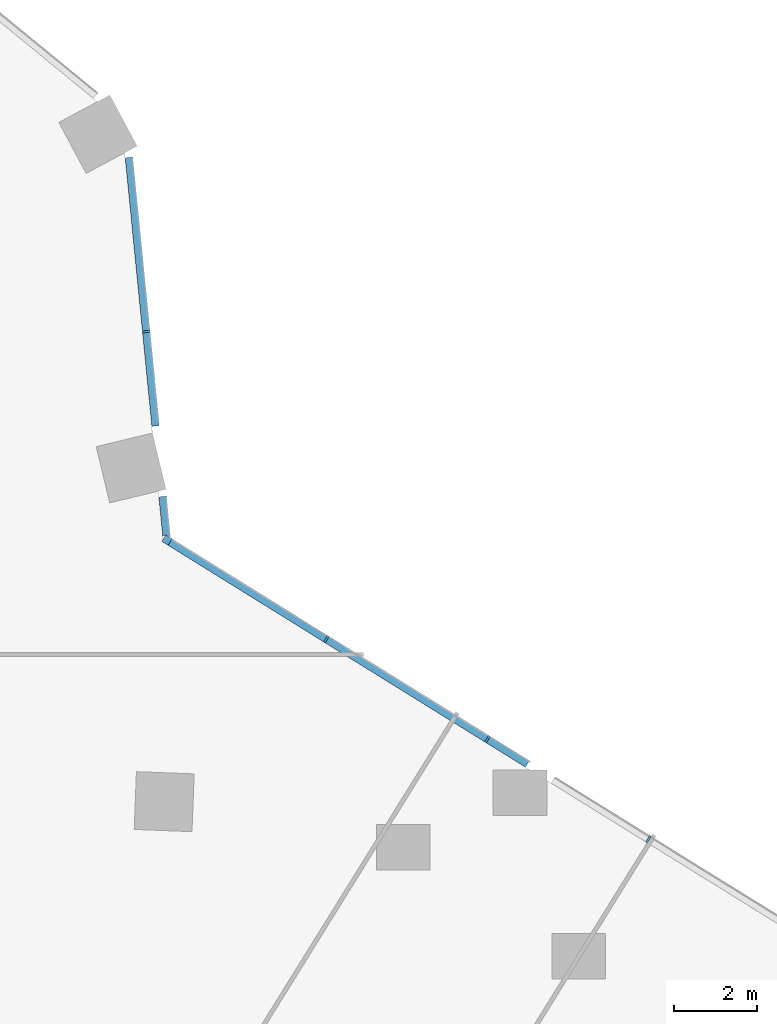
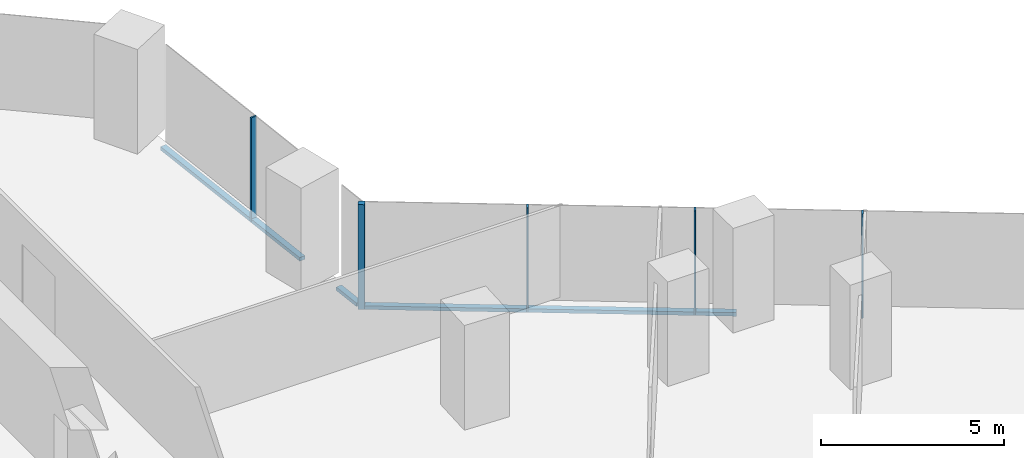
# One storey, part 10 of 34: 8 members, 2 elements without a shape of their own.
"""IFC4 building model written with IfcOpenShell, lengths in metres."""

from ifc_helpers import new_model, si_unit, direction, frame, origin, origin_2d, place, context, subcontext, project, spatial, rectangle, extrude, material, material_profile, profile_set, type_object, element, aggregate, save


model = new_model("IFC4")

# Units and contexts
model_context = context("Model", 3, precision=1e-05, world=origin(), true_north=direction((0.0, 1.0)))
body_context = subcontext(model_context, "Body", "Model", "MODEL_VIEW")
ifc_project = project(units=[si_unit("LENGTHUNIT", "METRE"), si_unit("AREAUNIT", "SQUARE_METRE"), si_unit("VOLUMEUNIT", "CUBIC_METRE"), si_unit("PLANEANGLEUNIT", "RADIAN"), si_unit("MASSUNIT", "GRAM", prefix="KILO")], contexts=[model_context])

# Site, building, storey
site_placement = place(None, origin())
site = spatial("IfcSite", under=ifc_project, at=site_placement, CompositionType="ELEMENT")
building_placement = place(site_placement, origin())
building = spatial("IfcBuilding", under=site, at=building_placement, Name="Orlundy Tower", CompositionType="ELEMENT")
storey_placement = place(building_placement, frame((0.0, 0.0, 47.800048828125)))
storey = spatial("IfcBuildingStorey", under=building, at=storey_placement, Name="L10", CompositionType="ELEMENT", Elevation=47.800048828125)

# Curtain wall, member
ifc_material_1 = material(Name="Aluminium bronze anodised", Category="aluminium")
curtain_wall_type = type_object("IfcCurtainWallType", Name="CW1 wall", PredefinedType="NOTDEFINED", material=ifc_material_1)
curtain_wall_1_placement = place(storey_placement, origin())
curtain_wall_1 = element("IfcCurtainWall", 1, at=curtain_wall_1_placement, inside=storey, type_object=curtain_wall_type, Name="CW1 run 06", PredefinedType="NOTDEFINED")
ifc_material_2 = material(Name="Aluminium bronze anodised", Category="aluminium")
ifc_material_profile_1 = material_profile(ifc_material_2, rectangle(XDim=0.179931640625, YDim=0.179931640625, at=origin_2d()), Name="CW1 corner post 180x180")
ifc_profile_set_1 = profile_set([ifc_material_profile_1], Name="Aluminium bronze anodised")
member_type_1 = type_object("IfcMemberType", Name="CW1 corner post 180x180", PredefinedType="MULLION", material=ifc_profile_set_1)
member_1_placement = place(storey_placement, frame((29.72216796875, 5.194091796875, -0.420166015625), z_axis=(0.0, 0.0, 1.0), x_axis=(0.527453271529, 0.849584043137, 0.0)))
member_1 = element("IfcMember", 2, at=member_1_placement, type_object=member_type_1, Name="CW1 mullion 26", PredefinedType="MULLION", context=body_context, shape_type="SweptSolid", body=[
    extrude(rectangle(XDim=0.179931640625, YDim=0.179931640625, at=origin_2d()), origin(), (0.0, 0.0, 1.0), 3.5),
])

curtain_wall_2_placement = place(storey_placement, origin())
curtain_wall_2 = element("IfcCurtainWall", 3, at=curtain_wall_2_placement, inside=storey, type_object=curtain_wall_type, Name="CW1 run 05", PredefinedType="NOTDEFINED")
ifc_material_3 = material(Name="Aluminium bronze anodised", Category="aluminium")
ifc_material_profile_2 = material_profile(ifc_material_3, rectangle(XDim=0.179931640625, YDim=0.050048828125, at=origin_2d()), Name="CW1 mullion 50x180")
ifc_profile_set_2 = profile_set([ifc_material_profile_2], Name="Aluminium bronze anodised")
member_type_2 = type_object("IfcMemberType", Name="CW1 mullion 50x180", PredefinedType="MULLION", material=ifc_profile_set_2)
member_2_placement = place(storey_placement, frame((29.220947265625, 10.243408203125, -0.420166015625), z_axis=(0.0, 0.0, 1.0), x_axis=(0.995111383815, 0.098758968204, 0.0)))
member_2 = element("IfcMember", 4, at=member_2_placement, type_object=member_type_2, Name="CW1 mullion 25", PredefinedType="MULLION", context=body_context, shape_type="SweptSolid", body=[
    extrude(rectangle(XDim=0.179931640625, YDim=0.050048828125, at=origin_2d()), origin(), (0.0, 0.0, 1.0), 3.5),
])

# Member
member_3_placement = place(storey_placement, frame((33.5830078125, 2.797119140625, -0.420166015625), z_axis=(0.0, 0.0, 1.0), x_axis=(0.527453271529, 0.849584043137, 0.0)))
member_3 = element("IfcMember", 5, at=member_3_placement, type_object=member_type_2, Name="CW1 mullion 27", PredefinedType="MULLION", context=body_context, shape_type="SweptSolid", body=[
    extrude(rectangle(XDim=0.179931640625, YDim=0.050048828125, at=origin_2d()), origin(), (0.0, 0.0, 1.0), 3.5),
])

member_4_placement = place(storey_placement, frame((37.4814453125, 0.376708984375, -0.420166015625), z_axis=(0.0, 0.0, 1.0), x_axis=(0.527453271529, 0.849584043137, 0.0)))
member_4 = element("IfcMember", 6, at=member_4_placement, type_object=member_type_2, Name="CW1 mullion 28", PredefinedType="MULLION", context=body_context, shape_type="SweptSolid", body=[
    extrude(rectangle(XDim=0.179931640625, YDim=0.050048828125, at=origin_2d()), origin(), (0.0, 0.0, 1.0), 3.5),
])

member_5_placement = place(storey_placement, frame((41.3798828125, -2.04345703125, -0.420166015625), z_axis=(0.0, 0.0, 1.0), x_axis=(0.527453271529, 0.849584043137, 0.0)))
member_5 = element("IfcMember", 7, at=member_5_placement, type_object=member_type_2, Name="CW1 mullion 29", PredefinedType="MULLION", context=body_context, shape_type="SweptSolid", body=[
    extrude(rectangle(XDim=0.179931640625, YDim=0.050048828125, at=origin_2d()), origin(), (0.0, 0.0, 1.0), 3.5),
])

ifc_material_4 = material(Name="Aluminium bronze anodised", Category="aluminium")
ifc_material_profile_3 = material_profile(ifc_material_4, rectangle(XDim=0.179931640625, YDim=0.1201171875, at=origin_2d()), Name="CW1 transom 180x120")
ifc_profile_set_3 = profile_set([ifc_material_profile_3], Name="Aluminium bronze anodised")
member_type_3 = type_object("IfcMemberType", Name="CW1 transom 180x120", PredefinedType="USERDEFINED", material=ifc_profile_set_3)
member_6_placement = place(storey_placement, frame((28.802734375, 14.457763671875, -0.360107421875), z_axis=(0.098763452302, -0.995110938785, 0.0), x_axis=(0.995110938785, 0.098763452302, 0.0)))
member_6 = element("IfcMember", 8, at=member_6_placement, type_object=member_type_3, Name="CW1 transom", ObjectType="TRANSOM", PredefinedType="USERDEFINED", context=body_context, shape_type="SweptSolid", body=[
    extrude(rectangle(XDim=0.179931640625, YDim=0.1201171875, at=origin_2d()), origin(), (0.0, 0.0, 1.0), 6.531005859375),
])

member_7_placement = place(storey_placement, frame((29.6171875, 6.2509765625, -0.360107421875), z_axis=(0.098815776009, -0.995105744337, 0.0), x_axis=(0.995105744337, 0.098815776009, 0.0)))
member_7 = element("IfcMember", 9, at=member_7_placement, type_object=member_type_3, Name="CW1 transom", ObjectType="TRANSOM", PredefinedType="USERDEFINED", context=body_context, shape_type="SweptSolid", body=[
    extrude(rectangle(XDim=0.179931640625, YDim=0.1201171875, at=origin_2d()), origin(), (0.0, 0.0, 1.0), 0.94873046875),
])

aggregate(curtain_wall_2, [member_2, member_6, member_7])

member_8_placement = place(storey_placement, frame((29.798583984375, 5.146484375, -0.360107421875), z_axis=(0.849585332978, -0.527451193939, 0.0), x_axis=(0.527451193939, 0.849585332978, 0.0)))
member_8 = element("IfcMember", 10, at=member_8_placement, type_object=member_type_3, Name="CW1 transom", ObjectType="TRANSOM", PredefinedType="USERDEFINED", context=body_context, shape_type="SweptSolid", body=[
    extrude(rectangle(XDim=0.179931640625, YDim=0.1201171875, at=origin_2d()), origin(), (0.0, 0.0, 1.0), 10.18212890625),
])

aggregate(curtain_wall_1, [member_1, member_3, member_4, member_5, member_8])

save(model, "model.ifc")
